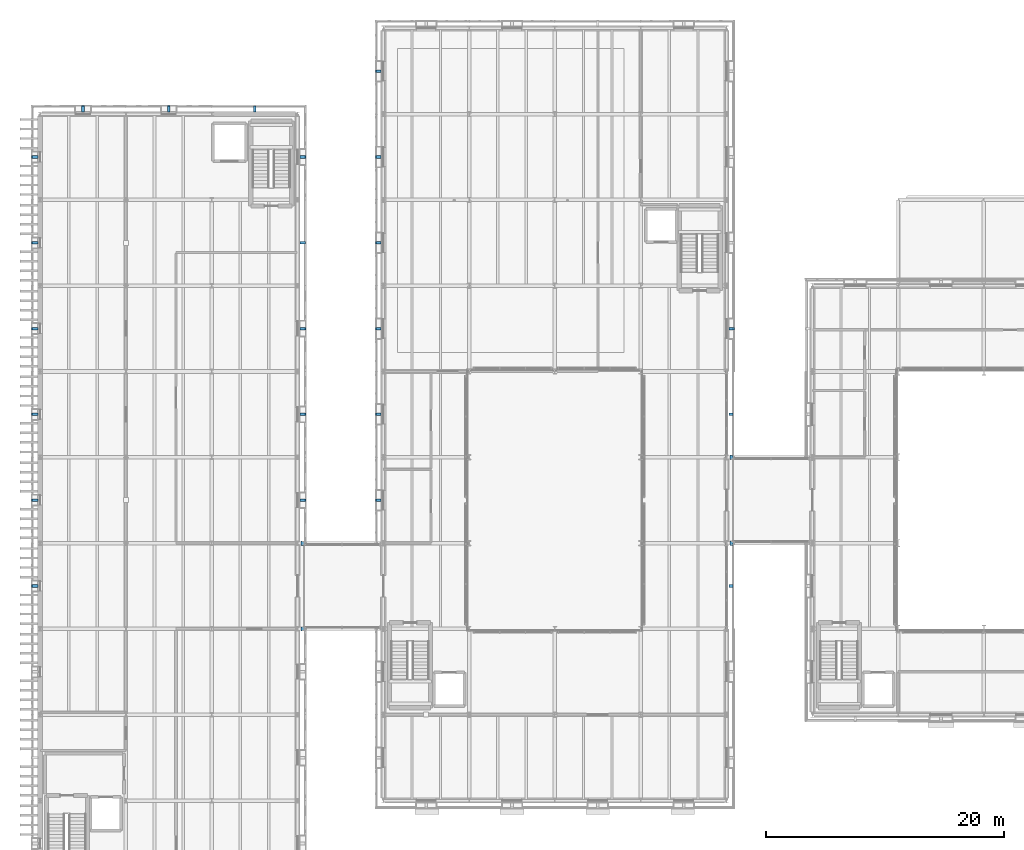
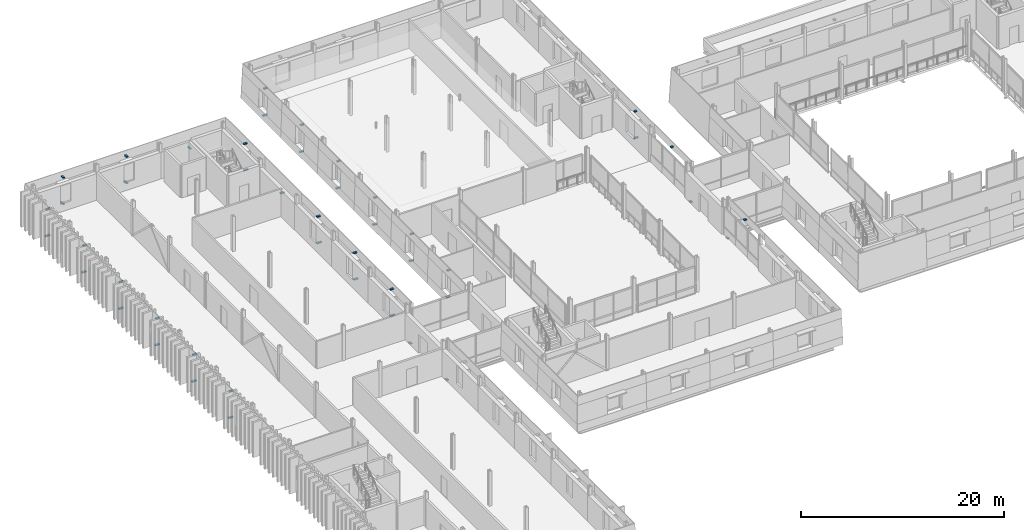
# One storey, part 83 of 115: 46 discrete accessories.
"""IFC4 building model written with IfcOpenShell, lengths in metres."""

from ifc_helpers import new_model, si_unit, direction, frame, origin, origin_2d, place, context, subcontext, project, spatial, rectangle, extrude, material, layer, layer_set, type_object, element, save


model = new_model("IFC4")

# Units and contexts
model_context = context("Model", 3, precision=1e-05, world=origin(), true_north=direction((0.0, 1.0)))
body_context = subcontext(model_context, "Body", "Model", "MODEL_VIEW")
ifc_project = project(units=[si_unit("LENGTHUNIT", "METRE"), si_unit("AREAUNIT", "SQUARE_METRE"), si_unit("VOLUMEUNIT", "CUBIC_METRE"), si_unit("PLANEANGLEUNIT", "RADIAN"), si_unit("MASSUNIT", "GRAM", prefix="KILO")], contexts=[model_context])

# Site, building, storey
site_placement = place(None, origin())
site = spatial("IfcSite", under=ifc_project, at=site_placement, CompositionType="ELEMENT")
building_placement = place(site_placement, origin())
building = spatial("IfcBuilding", under=site, at=building_placement, Name="Narikvali Park Central Library", CompositionType="ELEMENT")
storey_placement = place(building_placement, frame((0.0, 0.0, 10.199951171875)))
storey = spatial("IfcBuildingStorey", under=building, at=storey_placement, Name="L02", CompositionType="ELEMENT", Elevation=10.199951171875)

# Discrete accessories
ifc_material = material(Name="Brushed Stainless Steel S355", Category="steel")
ifc_layer_1 = layer(ifc_material, 0.139892578125, Name="Brushed Stainless Steel S355")
ifc_layer_set_1 = layer_set([ifc_layer_1], Name="Brushed Stainless Steel S355")
discrete_accessory_type_1 = type_object("IfcDiscreteAccessoryType", Name="Cladding Stainless Tie-Back Corbel Bracket", PredefinedType="BRACKET", material=ifc_layer_set_1)
for number, where, z_axis, x_axis, name in (
    (1, (57.97021484375, 68.39990234375, 3.68017578125), (0.0, 0.0, 1.0), (1.0, 0.0, 0.0), "Limestone Cladding Tie-Back Bracket V4-CLD-L02-E-B03-HDR"),
    (2, (57.97021484375, 82.800048828125, 3.68017578125), (0.0, 0.0, 1.0), (1.0, 0.0, 0.0), "Limestone Cladding Tie-Back Bracket V4-CLD-L02-E-B05-HDR"),
):
    element("IfcDiscreteAccessory", number, at=place(storey_placement, frame(where, z_axis=z_axis, x_axis=x_axis)), inside=storey, type_object=discrete_accessory_type_1, Name=name, PredefinedType="BRACKET", context=body_context, shape_type="SweptSolid", body=[
        extrude(rectangle(XDim=0.360107421875, YDim=0.219970703125, at=origin_2d()), origin(), (0.0, 0.0, 1.0), 0.139892578125),
    ])
discrete_accessory_1_placement = place(storey_placement, frame((58.025390625, 90.0, 0.39013671875), z_axis=(0.0, 0.0, 1.0), x_axis=(1.0, 0.0, 0.0)))
element("IfcDiscreteAccessory", 3, at=discrete_accessory_1_placement, inside=storey, type_object=discrete_accessory_type_1, Name="Limestone Cladding Tie-Back Bracket V4-CLD-L02-E-B06-SP", PredefinedType="BRACKET", context=body_context, shape_type="SweptSolid", body=[
    extrude(rectangle(XDim=0.470947265625, YDim=0.219970703125, at=origin_2d()), origin(), (0.0, 0.0, 1.0), 0.139892578125),
])
discrete_accessory_2_placement = place(storey_placement, frame((57.9716796875, 90.0, 3.59033203125), z_axis=(0.0, 0.0, 1.0), x_axis=(1.0, 0.0, 0.0)))
element("IfcDiscreteAccessory", 4, at=discrete_accessory_2_placement, inside=storey, type_object=discrete_accessory_type_1, Name="Limestone Cladding Tie-Back Bracket V4-CLD-L02-E-B06-LN", PredefinedType="BRACKET", context=body_context, shape_type="SweptSolid", body=[
    extrude(rectangle(XDim=0.363037109375, YDim=0.219970703125, at=origin_2d()), origin(), (0.0, 0.0, 1.0), 0.139892578125),
])
discrete_accessory_3_placement = place(storey_placement, frame((28.37451171875, 111.60009765625, 0.39013671875), z_axis=(0.0, 0.0, 1.0), x_axis=(1.0, 0.0, 0.0)))
element("IfcDiscreteAccessory", 5, at=discrete_accessory_3_placement, inside=storey, type_object=discrete_accessory_type_1, Name="Limestone Cladding Tie-Back Bracket V4-CLD-L02-W-B01-SP", PredefinedType="BRACKET", context=body_context, shape_type="SweptSolid", body=[
    extrude(rectangle(XDim=0.470947265625, YDim=0.219970703125, at=origin_2d()), origin(), (0.0, 0.0, 1.0), 0.139892578125),
])
discrete_accessory_4_placement = place(storey_placement, frame((28.428466796875, 111.60009765625, 3.59033203125), z_axis=(0.0, 0.0, 1.0), x_axis=(1.0, 0.0, 0.0)))
element("IfcDiscreteAccessory", 6, at=discrete_accessory_4_placement, inside=storey, type_object=discrete_accessory_type_1, Name="Limestone Cladding Tie-Back Bracket V4-CLD-L02-W-B01-LN", PredefinedType="BRACKET", context=body_context, shape_type="SweptSolid", body=[
    extrude(rectangle(XDim=0.363037109375, YDim=0.219970703125, at=origin_2d()), origin(), (0.0, 0.0, 1.0), 0.139892578125),
])
discrete_accessory_5_placement = place(storey_placement, frame((28.37451171875, 104.39990234375, 0.39013671875), z_axis=(0.0, 0.0, 1.0), x_axis=(1.0, 0.0, 0.0)))
element("IfcDiscreteAccessory", 7, at=discrete_accessory_5_placement, inside=storey, type_object=discrete_accessory_type_1, Name="Limestone Cladding Tie-Back Bracket V4-CLD-L02-W-B02-SP", PredefinedType="BRACKET", context=body_context, shape_type="SweptSolid", body=[
    extrude(rectangle(XDim=0.470947265625, YDim=0.219970703125, at=origin_2d()), origin(), (0.0, 0.0, 1.0), 0.139892578125),
])
discrete_accessory_6_placement = place(storey_placement, frame((28.428466796875, 104.39990234375, 3.59033203125), z_axis=(0.0, 0.0, 1.0), x_axis=(1.0, 0.0, 0.0)))
element("IfcDiscreteAccessory", 8, at=discrete_accessory_6_placement, inside=storey, type_object=discrete_accessory_type_1, Name="Limestone Cladding Tie-Back Bracket V4-CLD-L02-W-B02-LN", PredefinedType="BRACKET", context=body_context, shape_type="SweptSolid", body=[
    extrude(rectangle(XDim=0.363037109375, YDim=0.219970703125, at=origin_2d()), origin(), (0.0, 0.0, 1.0), 0.139892578125),
])
discrete_accessory_7_placement = place(storey_placement, frame((28.37451171875, 97.199951171875, 0.39013671875), z_axis=(0.0, 0.0, 1.0), x_axis=(1.0, 0.0, 0.0)))
element("IfcDiscreteAccessory", 9, at=discrete_accessory_7_placement, inside=storey, type_object=discrete_accessory_type_1, Name="Limestone Cladding Tie-Back Bracket V4-CLD-L02-W-B03-SP", PredefinedType="BRACKET", context=body_context, shape_type="SweptSolid", body=[
    extrude(rectangle(XDim=0.470947265625, YDim=0.219970703125, at=origin_2d()), origin(), (0.0, 0.0, 1.0), 0.139892578125),
])
discrete_accessory_8_placement = place(storey_placement, frame((28.428466796875, 97.199951171875, 3.59033203125), z_axis=(0.0, 0.0, 1.0), x_axis=(1.0, 0.0, 0.0)))
element("IfcDiscreteAccessory", 10, at=discrete_accessory_8_placement, inside=storey, type_object=discrete_accessory_type_1, Name="Limestone Cladding Tie-Back Bracket V4-CLD-L02-W-B03-LN", PredefinedType="BRACKET", context=body_context, shape_type="SweptSolid", body=[
    extrude(rectangle(XDim=0.363037109375, YDim=0.219970703125, at=origin_2d()), origin(), (0.0, 0.0, 1.0), 0.139892578125),
])
discrete_accessory_9_placement = place(storey_placement, frame((28.37451171875, 90.0, 0.39013671875), z_axis=(0.0, 0.0, 1.0), x_axis=(1.0, 0.0, 0.0)))
element("IfcDiscreteAccessory", 11, at=discrete_accessory_9_placement, inside=storey, type_object=discrete_accessory_type_1, Name="Limestone Cladding Tie-Back Bracket V4-CLD-L02-W-B04-SP", PredefinedType="BRACKET", context=body_context, shape_type="SweptSolid", body=[
    extrude(rectangle(XDim=0.470947265625, YDim=0.219970703125, at=origin_2d()), origin(), (0.0, 0.0, 1.0), 0.139892578125),
])
discrete_accessory_10_placement = place(storey_placement, frame((28.428466796875, 90.0, 3.59033203125), z_axis=(0.0, 0.0, 1.0), x_axis=(1.0, 0.0, 0.0)))
element("IfcDiscreteAccessory", 12, at=discrete_accessory_10_placement, inside=storey, type_object=discrete_accessory_type_1, Name="Limestone Cladding Tie-Back Bracket V4-CLD-L02-W-B04-LN", PredefinedType="BRACKET", context=body_context, shape_type="SweptSolid", body=[
    extrude(rectangle(XDim=0.363037109375, YDim=0.219970703125, at=origin_2d()), origin(), (0.0, 0.0, 1.0), 0.139892578125),
])
discrete_accessory_11_placement = place(storey_placement, frame((28.37451171875, 82.800048828125, 0.39013671875), z_axis=(0.0, 0.0, 1.0), x_axis=(1.0, 0.0, 0.0)))
element("IfcDiscreteAccessory", 13, at=discrete_accessory_11_placement, inside=storey, type_object=discrete_accessory_type_1, Name="Limestone Cladding Tie-Back Bracket V4-CLD-L02-W-B05-SP", PredefinedType="BRACKET", context=body_context, shape_type="SweptSolid", body=[
    extrude(rectangle(XDim=0.470947265625, YDim=0.219970703125, at=origin_2d()), origin(), (0.0, 0.0, 1.0), 0.139892578125),
])
discrete_accessory_12_placement = place(storey_placement, frame((28.428466796875, 82.800048828125, 3.59033203125), z_axis=(0.0, 0.0, 1.0), x_axis=(1.0, 0.0, 0.0)))
element("IfcDiscreteAccessory", 14, at=discrete_accessory_12_placement, inside=storey, type_object=discrete_accessory_type_1, Name="Limestone Cladding Tie-Back Bracket V4-CLD-L02-W-B05-LN", PredefinedType="BRACKET", context=body_context, shape_type="SweptSolid", body=[
    extrude(rectangle(XDim=0.363037109375, YDim=0.219970703125, at=origin_2d()), origin(), (0.0, 0.0, 1.0), 0.139892578125),
])
discrete_accessory_13_placement = place(storey_placement, frame((28.37451171875, 75.60009765625, 0.39013671875), z_axis=(0.0, 0.0, 1.0), x_axis=(1.0, 0.0, 0.0)))
element("IfcDiscreteAccessory", 15, at=discrete_accessory_13_placement, inside=storey, type_object=discrete_accessory_type_1, Name="Limestone Cladding Tie-Back Bracket V4-CLD-L02-W-B06-SP", PredefinedType="BRACKET", context=body_context, shape_type="SweptSolid", body=[
    extrude(rectangle(XDim=0.470947265625, YDim=0.219970703125, at=origin_2d()), origin(), (0.0, 0.0, 1.0), 0.139892578125),
])
discrete_accessory_14_placement = place(storey_placement, frame((28.428466796875, 75.60009765625, 3.59033203125), z_axis=(0.0, 0.0, 1.0), x_axis=(1.0, 0.0, 0.0)))
element("IfcDiscreteAccessory", 16, at=discrete_accessory_14_placement, inside=storey, type_object=discrete_accessory_type_1, Name="Limestone Cladding Tie-Back Bracket V4-CLD-L02-W-B06-LN", PredefinedType="BRACKET", context=body_context, shape_type="SweptSolid", body=[
    extrude(rectangle(XDim=0.363037109375, YDim=0.219970703125, at=origin_2d()), origin(), (0.0, 0.0, 1.0), 0.139892578125),
])
discrete_accessory_15_placement = place(storey_placement, frame((22.0537109375, 75.60009765625, 0.4052734375), z_axis=(0.0, 0.0, 1.0), x_axis=(1.0, 0.0, 0.0)))
element("IfcDiscreteAccessory", 17, at=discrete_accessory_15_placement, inside=storey, type_object=discrete_accessory_type_1, Name="Limestone Cladding Tie-Back Bracket V5-CLD-L02-E-B07-SP", PredefinedType="BRACKET", context=body_context, shape_type="SweptSolid", body=[
    extrude(rectangle(XDim=0.527099609375, YDim=0.219970703125, at=origin_2d()), origin(), (0.0, 0.0, 1.0), 0.139892578125),
])
discrete_accessory_16_placement = place(storey_placement, frame((22.008544921875, 75.60009765625, 3.580078125), z_axis=(0.0, 0.0, 1.0), x_axis=(1.0, 0.0, 0.0)))
element("IfcDiscreteAccessory", 18, at=discrete_accessory_16_placement, inside=storey, type_object=discrete_accessory_type_1, Name="Limestone Cladding Tie-Back Bracket V5-CLD-L02-E-B07-LN", PredefinedType="BRACKET", context=body_context, shape_type="SweptSolid", body=[
    extrude(rectangle(XDim=0.43701171875, YDim=0.219970703125, at=origin_2d()), origin(), (0.0, 0.0, 1.0), 0.139892578125),
])
discrete_accessory_17_placement = place(storey_placement, frame((22.0537109375, 82.800048828125, 0.4052734375), z_axis=(0.0, 0.0, 1.0), x_axis=(1.0, 0.0, 0.0)))
element("IfcDiscreteAccessory", 19, at=discrete_accessory_17_placement, inside=storey, type_object=discrete_accessory_type_1, Name="Limestone Cladding Tie-Back Bracket V5-CLD-L02-E-B08-SP", PredefinedType="BRACKET", context=body_context, shape_type="SweptSolid", body=[
    extrude(rectangle(XDim=0.527099609375, YDim=0.219970703125, at=origin_2d()), origin(), (0.0, 0.0, 1.0), 0.139892578125),
])
discrete_accessory_18_placement = place(storey_placement, frame((22.008544921875, 82.800048828125, 3.580078125), z_axis=(0.0, 0.0, 1.0), x_axis=(1.0, 0.0, 0.0)))
element("IfcDiscreteAccessory", 20, at=discrete_accessory_18_placement, inside=storey, type_object=discrete_accessory_type_1, Name="Limestone Cladding Tie-Back Bracket V5-CLD-L02-E-B08-LN", PredefinedType="BRACKET", context=body_context, shape_type="SweptSolid", body=[
    extrude(rectangle(XDim=0.43701171875, YDim=0.219970703125, at=origin_2d()), origin(), (0.0, 0.0, 1.0), 0.139892578125),
])
discrete_accessory_19_placement = place(storey_placement, frame((22.0537109375, 90.0, 0.4052734375), z_axis=(0.0, 0.0, 1.0), x_axis=(1.0, 0.0, 0.0)))
element("IfcDiscreteAccessory", 21, at=discrete_accessory_19_placement, inside=storey, type_object=discrete_accessory_type_1, Name="Limestone Cladding Tie-Back Bracket V5-CLD-L02-E-B09-SP", PredefinedType="BRACKET", context=body_context, shape_type="SweptSolid", body=[
    extrude(rectangle(XDim=0.527099609375, YDim=0.219970703125, at=origin_2d()), origin(), (0.0, 0.0, 1.0), 0.139892578125),
])
discrete_accessory_20_placement = place(storey_placement, frame((22.008544921875, 90.0, 3.580078125), z_axis=(0.0, 0.0, 1.0), x_axis=(1.0, 0.0, 0.0)))
element("IfcDiscreteAccessory", 22, at=discrete_accessory_20_placement, inside=storey, type_object=discrete_accessory_type_1, Name="Limestone Cladding Tie-Back Bracket V5-CLD-L02-E-B09-LN", PredefinedType="BRACKET", context=body_context, shape_type="SweptSolid", body=[
    extrude(rectangle(XDim=0.43701171875, YDim=0.219970703125, at=origin_2d()), origin(), (0.0, 0.0, 1.0), 0.139892578125),
])
discrete_accessory_21_placement = place(storey_placement, frame((22.030517578125, 97.199951171875, 2.0302734375), z_axis=(0.0, 0.0, 1.0), x_axis=(1.0, 0.0, 0.0)))
element("IfcDiscreteAccessory", 23, at=discrete_accessory_21_placement, inside=storey, type_object=discrete_accessory_type_1, Name="Limestone Cladding Tie-Back Bracket V5-CLD-L02-E-B10-FULL", PredefinedType="BRACKET", context=body_context, shape_type="SweptSolid", body=[
    extrude(rectangle(XDim=0.48095703125, YDim=0.219970703125, at=origin_2d()), origin(), (0.0, 0.0, 1.0), 0.139892578125),
])
discrete_accessory_22_placement = place(storey_placement, frame((22.0537109375, 104.39990234375, 0.4052734375), z_axis=(0.0, 0.0, 1.0), x_axis=(1.0, 0.0, 0.0)))
element("IfcDiscreteAccessory", 24, at=discrete_accessory_22_placement, inside=storey, type_object=discrete_accessory_type_1, Name="Limestone Cladding Tie-Back Bracket V5-CLD-L02-E-B11-SP", PredefinedType="BRACKET", context=body_context, shape_type="SweptSolid", body=[
    extrude(rectangle(XDim=0.527099609375, YDim=0.219970703125, at=origin_2d()), origin(), (0.0, 0.0, 1.0), 0.139892578125),
])
discrete_accessory_23_placement = place(storey_placement, frame((22.008544921875, 104.39990234375, 3.580078125), z_axis=(0.0, 0.0, 1.0), x_axis=(1.0, 0.0, 0.0)))
element("IfcDiscreteAccessory", 25, at=discrete_accessory_23_placement, inside=storey, type_object=discrete_accessory_type_1, Name="Limestone Cladding Tie-Back Bracket V5-CLD-L02-E-B11-LN", PredefinedType="BRACKET", context=body_context, shape_type="SweptSolid", body=[
    extrude(rectangle(XDim=0.43701171875, YDim=0.219970703125, at=origin_2d()), origin(), (0.0, 0.0, 1.0), 0.139892578125),
])
discrete_accessory_24_placement = place(storey_placement, frame((18.0, 108.430419921875, 2.0302734375), z_axis=(0.0, 0.0, 1.0), x_axis=(1.0, 0.0, 0.0)))
element("IfcDiscreteAccessory", 26, at=discrete_accessory_24_placement, inside=storey, type_object=discrete_accessory_type_1, Name="Limestone Cladding Tie-Back Bracket V5-CLD-L02-N-B01-FULL", PredefinedType="BRACKET", context=body_context, shape_type="SweptSolid", body=[
    extrude(rectangle(XDim=0.219970703125, YDim=0.48095703125, at=origin_2d()), origin(), (0.0, 0.0, 1.0), 0.139892578125),
])
discrete_accessory_25_placement = place(storey_placement, frame((10.800048828125, 108.45361328125, 0.4052734375), z_axis=(0.0, 0.0, 1.0), x_axis=(1.0, 0.0, 0.0)))
element("IfcDiscreteAccessory", 27, at=discrete_accessory_25_placement, inside=storey, type_object=discrete_accessory_type_1, Name="Limestone Cladding Tie-Back Bracket V5-CLD-L02-N-B02-SP", PredefinedType="BRACKET", context=body_context, shape_type="SweptSolid", body=[
    extrude(rectangle(XDim=0.219970703125, YDim=0.527099609375, at=origin_2d()), origin(), (0.0, 0.0, 1.0), 0.139892578125),
])
discrete_accessory_26_placement = place(storey_placement, frame((10.800048828125, 108.40869140625, 3.580078125), z_axis=(0.0, 0.0, 1.0), x_axis=(1.0, 0.0, 0.0)))
element("IfcDiscreteAccessory", 28, at=discrete_accessory_26_placement, inside=storey, type_object=discrete_accessory_type_1, Name="Limestone Cladding Tie-Back Bracket V5-CLD-L02-N-B02-LN", PredefinedType="BRACKET", context=body_context, shape_type="SweptSolid", body=[
    extrude(rectangle(XDim=0.219970703125, YDim=0.43701171875, at=origin_2d()), origin(), (0.0, 0.0, 1.0), 0.139892578125),
])
discrete_accessory_27_placement = place(storey_placement, frame((3.60009765625, 108.45361328125, 0.4052734375), z_axis=(0.0, 0.0, 1.0), x_axis=(1.0, 0.0, 0.0)))
element("IfcDiscreteAccessory", 29, at=discrete_accessory_27_placement, inside=storey, type_object=discrete_accessory_type_1, Name="Limestone Cladding Tie-Back Bracket V5-CLD-L02-N-B03-SP", PredefinedType="BRACKET", context=body_context, shape_type="SweptSolid", body=[
    extrude(rectangle(XDim=0.219970703125, YDim=0.527099609375, at=origin_2d()), origin(), (0.0, 0.0, 1.0), 0.139892578125),
])
discrete_accessory_28_placement = place(storey_placement, frame((3.60009765625, 108.40869140625, 3.580078125), z_axis=(0.0, 0.0, 1.0), x_axis=(1.0, 0.0, 0.0)))
element("IfcDiscreteAccessory", 30, at=discrete_accessory_28_placement, inside=storey, type_object=discrete_accessory_type_1, Name="Limestone Cladding Tie-Back Bracket V5-CLD-L02-N-B03-LN", PredefinedType="BRACKET", context=body_context, shape_type="SweptSolid", body=[
    extrude(rectangle(XDim=0.219970703125, YDim=0.43701171875, at=origin_2d()), origin(), (0.0, 0.0, 1.0), 0.139892578125),
])
discrete_accessory_29_placement = place(storey_placement, frame((-0.45361328125, 104.39990234375, 0.4052734375), z_axis=(0.0, 0.0, 1.0), x_axis=(1.0, 0.0, 0.0)))
element("IfcDiscreteAccessory", 31, at=discrete_accessory_29_placement, inside=storey, type_object=discrete_accessory_type_1, Name="Limestone Cladding Tie-Back Bracket V5-CLD-L02-W-B01-SP", PredefinedType="BRACKET", context=body_context, shape_type="SweptSolid", body=[
    extrude(rectangle(XDim=0.527099609375, YDim=0.219970703125, at=origin_2d()), origin(), (0.0, 0.0, 1.0), 0.139892578125),
])
discrete_accessory_30_placement = place(storey_placement, frame((-0.408447265625, 104.39990234375, 3.580078125), z_axis=(0.0, 0.0, 1.0), x_axis=(1.0, 0.0, 0.0)))
element("IfcDiscreteAccessory", 32, at=discrete_accessory_30_placement, inside=storey, type_object=discrete_accessory_type_1, Name="Limestone Cladding Tie-Back Bracket V5-CLD-L02-W-B01-LN", PredefinedType="BRACKET", context=body_context, shape_type="SweptSolid", body=[
    extrude(rectangle(XDim=0.43701171875, YDim=0.219970703125, at=origin_2d()), origin(), (0.0, 0.0, 1.0), 0.139892578125),
])
discrete_accessory_31_placement = place(storey_placement, frame((-0.45361328125, 97.199951171875, 0.4052734375), z_axis=(0.0, 0.0, 1.0), x_axis=(1.0, 0.0, 0.0)))
element("IfcDiscreteAccessory", 33, at=discrete_accessory_31_placement, inside=storey, type_object=discrete_accessory_type_1, Name="Limestone Cladding Tie-Back Bracket V5-CLD-L02-W-B02-SP", PredefinedType="BRACKET", context=body_context, shape_type="SweptSolid", body=[
    extrude(rectangle(XDim=0.527099609375, YDim=0.219970703125, at=origin_2d()), origin(), (0.0, 0.0, 1.0), 0.139892578125),
])
discrete_accessory_32_placement = place(storey_placement, frame((-0.408447265625, 97.199951171875, 3.580078125), z_axis=(0.0, 0.0, 1.0), x_axis=(1.0, 0.0, 0.0)))
element("IfcDiscreteAccessory", 34, at=discrete_accessory_32_placement, inside=storey, type_object=discrete_accessory_type_1, Name="Limestone Cladding Tie-Back Bracket V5-CLD-L02-W-B02-LN", PredefinedType="BRACKET", context=body_context, shape_type="SweptSolid", body=[
    extrude(rectangle(XDim=0.43701171875, YDim=0.219970703125, at=origin_2d()), origin(), (0.0, 0.0, 1.0), 0.139892578125),
])
discrete_accessory_33_placement = place(storey_placement, frame((-0.45361328125, 90.0, 0.4052734375), z_axis=(0.0, 0.0, 1.0), x_axis=(1.0, 0.0, 0.0)))
element("IfcDiscreteAccessory", 35, at=discrete_accessory_33_placement, inside=storey, type_object=discrete_accessory_type_1, Name="Limestone Cladding Tie-Back Bracket V5-CLD-L02-W-B03-SP", PredefinedType="BRACKET", context=body_context, shape_type="SweptSolid", body=[
    extrude(rectangle(XDim=0.527099609375, YDim=0.219970703125, at=origin_2d()), origin(), (0.0, 0.0, 1.0), 0.139892578125),
])
discrete_accessory_34_placement = place(storey_placement, frame((-0.408447265625, 90.0, 3.580078125), z_axis=(0.0, 0.0, 1.0), x_axis=(1.0, 0.0, 0.0)))
element("IfcDiscreteAccessory", 36, at=discrete_accessory_34_placement, inside=storey, type_object=discrete_accessory_type_1, Name="Limestone Cladding Tie-Back Bracket V5-CLD-L02-W-B03-LN", PredefinedType="BRACKET", context=body_context, shape_type="SweptSolid", body=[
    extrude(rectangle(XDim=0.43701171875, YDim=0.219970703125, at=origin_2d()), origin(), (0.0, 0.0, 1.0), 0.139892578125),
])
discrete_accessory_35_placement = place(storey_placement, frame((-0.45361328125, 82.800048828125, 0.4052734375), z_axis=(0.0, 0.0, 1.0), x_axis=(1.0, 0.0, 0.0)))
element("IfcDiscreteAccessory", 37, at=discrete_accessory_35_placement, inside=storey, type_object=discrete_accessory_type_1, Name="Limestone Cladding Tie-Back Bracket V5-CLD-L02-W-B04-SP", PredefinedType="BRACKET", context=body_context, shape_type="SweptSolid", body=[
    extrude(rectangle(XDim=0.527099609375, YDim=0.219970703125, at=origin_2d()), origin(), (0.0, 0.0, 1.0), 0.139892578125),
])
discrete_accessory_36_placement = place(storey_placement, frame((-0.408447265625, 82.800048828125, 3.580078125), z_axis=(0.0, 0.0, 1.0), x_axis=(1.0, 0.0, 0.0)))
element("IfcDiscreteAccessory", 38, at=discrete_accessory_36_placement, inside=storey, type_object=discrete_accessory_type_1, Name="Limestone Cladding Tie-Back Bracket V5-CLD-L02-W-B04-LN", PredefinedType="BRACKET", context=body_context, shape_type="SweptSolid", body=[
    extrude(rectangle(XDim=0.43701171875, YDim=0.219970703125, at=origin_2d()), origin(), (0.0, 0.0, 1.0), 0.139892578125),
])
discrete_accessory_37_placement = place(storey_placement, frame((-0.45361328125, 75.60009765625, 0.4052734375), z_axis=(0.0, 0.0, 1.0), x_axis=(1.0, 0.0, 0.0)))
element("IfcDiscreteAccessory", 39, at=discrete_accessory_37_placement, inside=storey, type_object=discrete_accessory_type_1, Name="Limestone Cladding Tie-Back Bracket V5-CLD-L02-W-B05-SP", PredefinedType="BRACKET", context=body_context, shape_type="SweptSolid", body=[
    extrude(rectangle(XDim=0.527099609375, YDim=0.219970703125, at=origin_2d()), origin(), (0.0, 0.0, 1.0), 0.139892578125),
])
discrete_accessory_38_placement = place(storey_placement, frame((-0.408447265625, 75.60009765625, 3.580078125), z_axis=(0.0, 0.0, 1.0), x_axis=(1.0, 0.0, 0.0)))
element("IfcDiscreteAccessory", 40, at=discrete_accessory_38_placement, inside=storey, type_object=discrete_accessory_type_1, Name="Limestone Cladding Tie-Back Bracket V5-CLD-L02-W-B05-LN", PredefinedType="BRACKET", context=body_context, shape_type="SweptSolid", body=[
    extrude(rectangle(XDim=0.43701171875, YDim=0.219970703125, at=origin_2d()), origin(), (0.0, 0.0, 1.0), 0.139892578125),
])
discrete_accessory_39_placement = place(storey_placement, frame((-0.45361328125, 68.39990234375, 0.4052734375), z_axis=(0.0, 0.0, 1.0), x_axis=(1.0, 0.0, 0.0)))
element("IfcDiscreteAccessory", 41, at=discrete_accessory_39_placement, inside=storey, type_object=discrete_accessory_type_1, Name="Limestone Cladding Tie-Back Bracket V5-CLD-L02-W-B06-SP", PredefinedType="BRACKET", context=body_context, shape_type="SweptSolid", body=[
    extrude(rectangle(XDim=0.527099609375, YDim=0.219970703125, at=origin_2d()), origin(), (0.0, 0.0, 1.0), 0.139892578125),
])
discrete_accessory_40_placement = place(storey_placement, frame((-0.408447265625, 68.39990234375, 3.580078125), z_axis=(0.0, 0.0, 1.0), x_axis=(1.0, 0.0, 0.0)))
element("IfcDiscreteAccessory", 42, at=discrete_accessory_40_placement, inside=storey, type_object=discrete_accessory_type_1, Name="Limestone Cladding Tie-Back Bracket V5-CLD-L02-W-B06-LN", PredefinedType="BRACKET", context=body_context, shape_type="SweptSolid", body=[
    extrude(rectangle(XDim=0.43701171875, YDim=0.219970703125, at=origin_2d()), origin(), (0.0, 0.0, 1.0), 0.139892578125),
])
ifc_layer_2 = layer(ifc_material, 0.080078125, Name="Brushed Stainless Steel S355")
ifc_layer_set_2 = layer_set([ifc_layer_2], Name="Brushed Stainless Steel S355")
discrete_accessory_type_2 = type_object("IfcDiscreteAccessoryType", Name="Unguided PTFE Sliding Bridge Bearing", PredefinedType="BRACKET", material=ifc_layer_set_2)
for number, where, z_axis, x_axis, name in (
    (43, (22.030029296875, 64.800048828125, -0.679931640625), (0.0, 0.0, 1.0), (1.0, 0.0, 0.0), "BRG-1 L02 Unguided PTFE Sliding Bearing 1"),
    (44, (22.030029296875, 72.0, -0.679931640625), (0.0, 0.0, 1.0), (1.0, 0.0, 0.0), "BRG-1 L02 Unguided PTFE Sliding Bearing 2"),
    (45, (58.030029296875, 72.0, -0.679931640625), (0.0, 0.0, 1.0), (1.0, 0.0, 0.0), "BRG-2 L02 Unguided PTFE Sliding Bearing 1"),
    (46, (58.030029296875, 79.199951171875, -0.679931640625), (0.0, 0.0, 1.0), (1.0, 0.0, 0.0), "BRG-2 L02 Unguided PTFE Sliding Bearing 2"),
):
    element("IfcDiscreteAccessory", number, at=place(storey_placement, frame(where, z_axis=z_axis, x_axis=x_axis)), inside=storey, type_object=discrete_accessory_type_2, Name=name, PredefinedType="BRACKET", context=body_context, shape_type="SweptSolid", body=[
        extrude(rectangle(XDim=0.239990234375, YDim=0.360107421875, at=origin_2d()), origin(), (0.0, 0.0, 1.0), 0.080078125),
    ])

save(model, "model.ifc")
